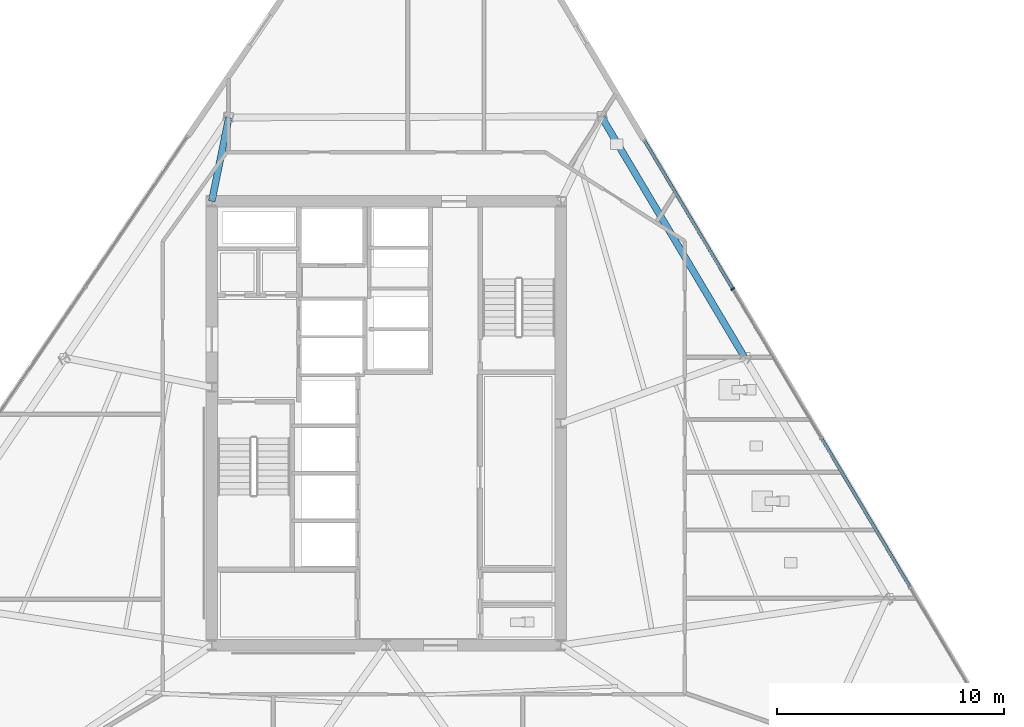
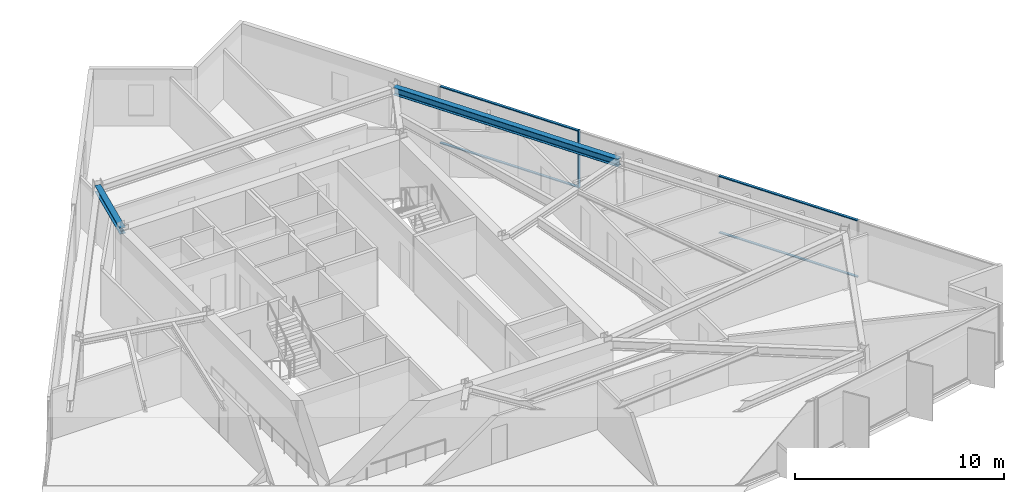
# One storey, part 5 of 15: 5 members, 2 beams, 1 element without a shape of its own.
"""IFC4 building model written with IfcOpenShell, lengths in metres."""

from ifc_helpers import new_model, si_unit, direction, frame, origin, origin_2d, place, context, subcontext, project, spatial, rectangle, i_section, extrude, material, material_profile, profile_set, type_object, element, aggregate, save


model = new_model("IFC4")

# Units and contexts
model_context = context("Model", 3, precision=1e-05, world=origin(), true_north=direction((0.0, 1.0)))
body_context = subcontext(model_context, "Body", "Model", "MODEL_VIEW")
ifc_project = project(units=[si_unit("LENGTHUNIT", "METRE"), si_unit("AREAUNIT", "SQUARE_METRE"), si_unit("VOLUMEUNIT", "CUBIC_METRE"), si_unit("PLANEANGLEUNIT", "RADIAN"), si_unit("MASSUNIT", "GRAM", prefix="KILO")], contexts=[model_context])

# Site, building, storey
site_placement = place(None, origin())
site = spatial("IfcSite", under=ifc_project, at=site_placement, CompositionType="ELEMENT")
building_placement = place(site_placement, origin())
building = spatial("IfcBuilding", under=site, at=building_placement, Name="Savorim Split Tower", CompositionType="ELEMENT")
storey_placement = place(building_placement, frame((0.0, 0.0, 145.800048828125)))
storey = spatial("IfcBuildingStorey", under=building, at=storey_placement, Name="L38", CompositionType="ELEMENT", Elevation=145.800048828125)

# Beams
ifc_material_1 = material(Name="Steel S355", Category="steel")
ifc_material_profile_1 = material_profile(ifc_material_1, i_section(OverallWidth=0.300048828125, OverallDepth=0.360107421875, WebThickness=0.012451171875, FlangeThickness=0.0224609375, FilletRadius=0.027099609375, at=origin_2d()), Name="HEB 360")
ifc_profile_set_1 = profile_set([ifc_material_profile_1], Name="Steel S355")
beam_type_1 = type_object("IfcBeamType", Name="BM-PRI-HEB360", PredefinedType="BEAM", material=ifc_profile_set_1)
beam_1_placement = place(storey_placement, frame((-6.9462890625, 13.8994140625, 3.169921875), z_axis=(-0.199621729028, -0.979873035296, 0.0), x_axis=(0.979873035296, -0.199621729028, 0.0)))
element("IfcBeam", 1, at=beam_1_placement, inside=storey, type_object=beam_type_1, Name="L38 Primary Floor Girder RG-08", PredefinedType="BEAM", context=body_context, shape_type="SweptSolid", body=[
    extrude(i_section(OverallWidth=0.300048828125, OverallDepth=0.360107421875, WebThickness=0.012451171875, FlangeThickness=0.0224609375, FilletRadius=0.027099609375, at=origin_2d()), origin(), (0.0, 0.0, 1.0), 3.775390625),
])
ifc_material_profile_2 = material_profile(ifc_material_1, i_section(OverallWidth=0.300048828125, OverallDepth=0.43994140625, WebThickness=0.011474609375, FlangeThickness=0.02099609375, FilletRadius=0.027099609375, at=origin_2d()), Name="HEA 450")
ifc_profile_set_2 = profile_set([ifc_material_profile_2], Name="Steel S355")
beam_type_2 = type_object("IfcBeamType", Name="BM-SPN-HEA450", PredefinedType="SPANDREL", material=ifc_profile_set_2)
beam_2_placement = place(storey_placement, frame((15.800537109375, 3.336181640625, 3.1298828125), z_axis=(-0.511086448512, 0.859529314303, 0.0), x_axis=(-0.859529314303, -0.511086448512, 0.0)))
element("IfcBeam", 2, at=beam_2_placement, inside=storey, type_object=beam_type_2, Name="L38 Perimeter Spandrel Beam 6", PredefinedType="SPANDREL", context=body_context, shape_type="SweptSolid", body=[
    extrude(i_section(OverallWidth=0.300048828125, OverallDepth=0.43994140625, WebThickness=0.011474609375, FlangeThickness=0.02099609375, FilletRadius=0.027099609375, at=origin_2d()), origin(), (0.0, 0.0, 1.0), 12.346435546875),
])

# Curtain wall, members
ifc_material_2 = material(Name="Dark Ceramic-Fritted Insulated Glass", Category="glass")
curtain_wall_type = type_object("IfcCurtainWallType", Name="CW-TWR-FRIT-A", PredefinedType="NOTDEFINED", material=ifc_material_2)
curtain_wall_placement = place(storey_placement, origin())
curtain_wall = element("IfcCurtainWall", 3, at=curtain_wall_placement, inside=storey, type_object=curtain_wall_type, Name="L38 Curtain Wall CW-L38-EAST", PredefinedType="NOTDEFINED")
ifc_material_3 = material(Name="Charcoal Anodised Aluminium", Category="aluminium")
ifc_material_profile_3 = material_profile(ifc_material_3, rectangle(XDim=0.179931640625, YDim=0.06494140625, at=origin_2d()), Name="ALU-M 180x65")
ifc_profile_set_3 = profile_set([ifc_material_profile_3], Name="Charcoal Anodised Aluminium")
member_type_1 = type_object("IfcMemberType", Name="CWM-180x65", PredefinedType="MULLION", material=ifc_profile_set_3)
member_1_placement = place(storey_placement, frame((15.2900390625, 6.334228515625, 0.0), z_axis=(0.0, 0.0, 1.0), x_axis=(-0.859526328423, -0.511091470039, 0.0)))
member_1 = element("IfcMember", 4, at=member_1_placement, type_object=member_type_1, Name="CW-02 mullion 4", PredefinedType="MULLION", context=body_context, shape_type="SweptSolid", body=[
    extrude(rectangle(XDim=0.179931640625, YDim=0.06494140625, at=origin_2d()), origin(), (0.0, 0.0, 1.0), 3.349853515625),
])
ifc_material_profile_4 = material_profile(ifc_material_3, rectangle(XDim=0.139892578125, YDim=0.054931640625, at=origin_2d()), Name="ALU-T 140x55")
ifc_profile_set_4 = profile_set([ifc_material_profile_4], Name="Charcoal Anodised Aluminium")
member_type_2 = type_object("IfcMemberType", Name="CWT-140x55", PredefinedType="USERDEFINED", material=ifc_profile_set_4)
member_2_placement = place(storey_placement, frame((23.11279296875, -6.821533203125, 0.02734375), z_axis=(-0.511101677257, 0.859520258926, 0.0), x_axis=(-0.859520258926, -0.511101677257, 0.0)))
member_2 = element("IfcMember", 5, at=member_2_placement, type_object=member_type_2, Name="CW-02 transom 2.1", ObjectType="TRANSOM", PredefinedType="USERDEFINED", context=body_context, shape_type="SweptSolid", body=[
    extrude(rectangle(XDim=0.139892578125, YDim=0.054931640625, at=origin_2d()), origin(), (0.0, 0.0, 1.0), 7.60400390625),
])
member_3_placement = place(storey_placement, frame((23.11279296875, -6.821533203125, 3.322509765625), z_axis=(-0.511101677257, 0.859520258926, 0.0), x_axis=(-0.859520258926, -0.511101677257, 0.0)))
member_3 = element("IfcMember", 6, at=member_3_placement, type_object=member_type_2, Name="CW-02 transom 2.2", ObjectType="TRANSOM", PredefinedType="USERDEFINED", context=body_context, shape_type="SweptSolid", body=[
    extrude(rectangle(XDim=0.139892578125, YDim=0.054931640625, at=origin_2d()), origin(), (0.0, 0.0, 1.0), 7.60400390625),
])
member_4_placement = place(storey_placement, frame((15.2734375, 6.3623046875, 0.02734375), z_axis=(-0.511096639182, 0.859523254727, 0.0), x_axis=(-0.859523254727, -0.511096639182, 0.0)))
member_4 = element("IfcMember", 7, at=member_4_placement, type_object=member_type_2, Name="CW-02 transom 4.1", ObjectType="TRANSOM", PredefinedType="USERDEFINED", context=body_context, shape_type="SweptSolid", body=[
    extrude(rectangle(XDim=0.139892578125, YDim=0.054931640625, at=origin_2d()), origin(), (0.0, 0.0, 1.0), 7.57177734375),
])
member_5_placement = place(storey_placement, frame((15.2734375, 6.3623046875, 3.322509765625), z_axis=(-0.511096639182, 0.859523254727, 0.0), x_axis=(-0.859523254727, -0.511096639182, 0.0)))
member_5 = element("IfcMember", 8, at=member_5_placement, type_object=member_type_2, Name="CW-02 transom 4.2", ObjectType="TRANSOM", PredefinedType="USERDEFINED", context=body_context, shape_type="SweptSolid", body=[
    extrude(rectangle(XDim=0.139892578125, YDim=0.054931640625, at=origin_2d()), origin(), (0.0, 0.0, 1.0), 7.57177734375),
])
aggregate(curtain_wall, [member_1, member_2, member_3, member_4, member_5])

save(model, "model.ifc")
